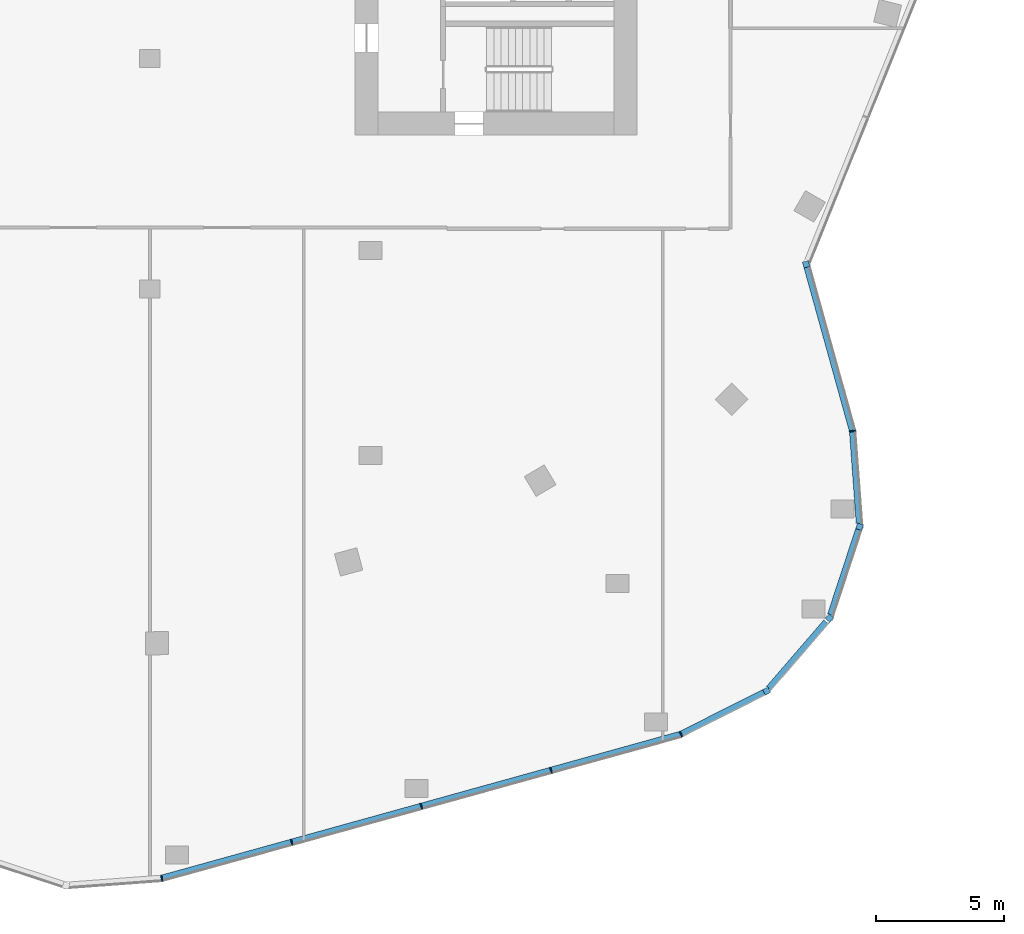
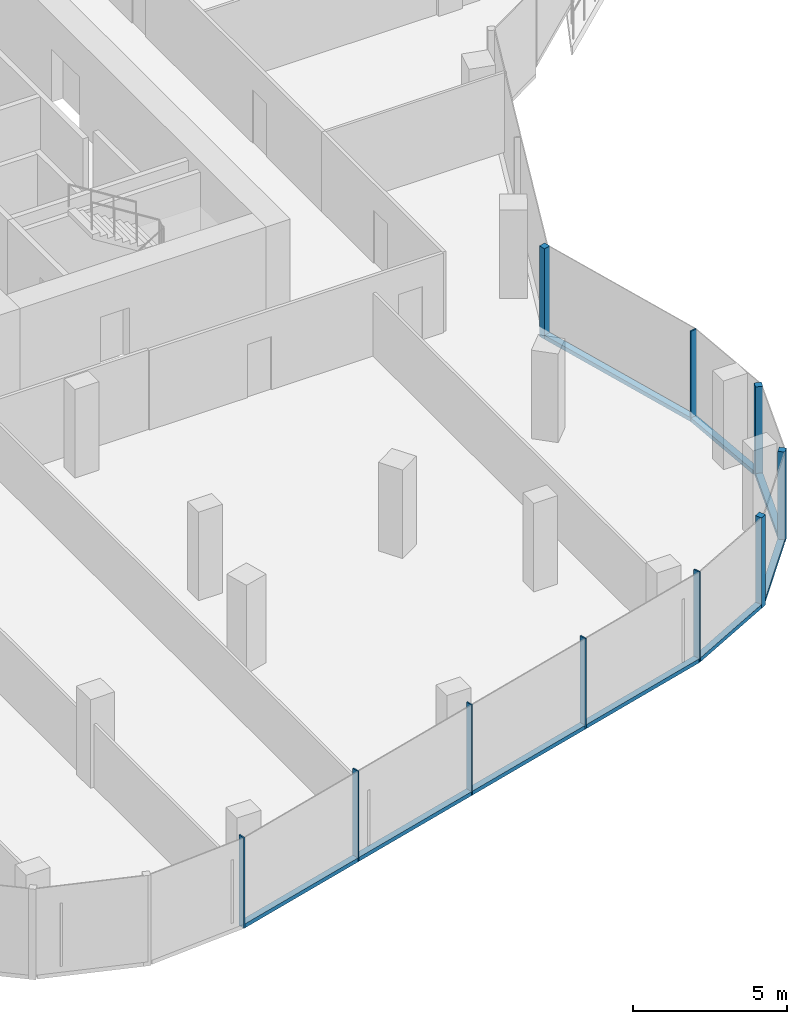
# One storey, part 4 of 17: 16 members, 7 elements without a shape of their own.
"""IFC4 building model written with IfcOpenShell, lengths in metres."""

from ifc_helpers import new_model, si_unit, direction, frame, origin, origin_2d, place, context, subcontext, project, spatial, rectangle, extrude, material, material_profile, profile_set, type_object, element, aggregate, save


model = new_model("IFC4")

# Units and contexts
model_context = context("Model", 3, precision=1e-05, world=origin(), true_north=direction((0.0, 1.0)))
body_context = subcontext(model_context, "Body", "Model", "MODEL_VIEW")
ifc_project = project(units=[si_unit("LENGTHUNIT", "METRE"), si_unit("AREAUNIT", "SQUARE_METRE"), si_unit("VOLUMEUNIT", "CUBIC_METRE"), si_unit("PLANEANGLEUNIT", "RADIAN"), si_unit("MASSUNIT", "GRAM", prefix="KILO")], contexts=[model_context])

# Site, building, storey
site_placement = place(None, origin())
site = spatial("IfcSite", under=ifc_project, at=site_placement, CompositionType="ELEMENT")
building_placement = place(site_placement, origin())
building = spatial("IfcBuilding", under=site, at=building_placement, Name="Orlundy Tower", CompositionType="ELEMENT")
storey_placement = place(building_placement, frame((0.0, 0.0, 289.39990234375)))
storey = spatial("IfcBuildingStorey", under=building, at=storey_placement, Name="L77", CompositionType="ELEMENT", Elevation=289.39990234375)

# Curtain wall, member
ifc_material_1 = material(Name="Aluminium bronze anodised", Category="aluminium")
curtain_wall_type = type_object("IfcCurtainWallType", Name="CW6 wall", PredefinedType="NOTDEFINED", material=ifc_material_1)
curtain_wall_1_placement = place(storey_placement, origin())
curtain_wall_1 = element("IfcCurtainWall", 1, at=curtain_wall_1_placement, inside=storey, type_object=curtain_wall_type, Name="CW6 run 018", PredefinedType="NOTDEFINED")
ifc_material_2 = material(Name="Aluminium bronze anodised", Category="aluminium")
ifc_material_profile_1 = material_profile(ifc_material_2, rectangle(XDim=0.239990234375, YDim=0.239990234375, at=origin_2d()), Name="CW6 corner post 240x240")
ifc_profile_set_1 = profile_set([ifc_material_profile_1], Name="Aluminium bronze anodised")
member_type_1 = type_object("IfcMemberType", Name="CW6 corner post 240x240", PredefinedType="MULLION", material=ifc_profile_set_1)
member_1_placement = place(storey_placement, frame((25.603515625, -17.0341796875, -0.39990234375), z_axis=(0.0, 0.0, 1.0), x_axis=(0.963625538767, 0.26725609635, 0.0)))
member_1 = element("IfcMember", 2, at=member_1_placement, type_object=member_type_1, Name="CW6 mullion 38", PredefinedType="MULLION", context=body_context, shape_type="SweptSolid", body=[
    extrude(rectangle(XDim=0.239990234375, YDim=0.239990234375, at=origin_2d()), origin(), (0.0, 0.0, 1.0), 3.580078125),
])

curtain_wall_2_placement = place(storey_placement, origin())
curtain_wall_2 = element("IfcCurtainWall", 3, at=curtain_wall_2_placement, inside=storey, type_object=curtain_wall_type, Name="CW6 run 020", PredefinedType="NOTDEFINED")
member_2_placement = place(storey_placement, frame((27.685546875, -27.27587890625, -0.39990234375), z_axis=(0.0, 0.0, 1.0), x_axis=(0.949757042161, -0.312988116173, 0.0)))
member_2 = element("IfcMember", 4, at=member_2_placement, type_object=member_type_1, Name="CW6 mullion 40", PredefinedType="MULLION", context=body_context, shape_type="SweptSolid", body=[
    extrude(rectangle(XDim=0.239990234375, YDim=0.239990234375, at=origin_2d()), origin(), (0.0, 0.0, 1.0), 3.580078125),
])

curtain_wall_3_placement = place(storey_placement, origin())
curtain_wall_3 = element("IfcCurtainWall", 5, at=curtain_wall_3_placement, inside=storey, type_object=curtain_wall_type, Name="CW6 run 021", PredefinedType="NOTDEFINED")
member_3_placement = place(storey_placement, frame((26.510498046875, -30.84130859375, -0.39990234375), z_axis=(0.0, 0.0, 1.0), x_axis=(0.757501961463, -0.652832887024, 0.0)))
member_3 = element("IfcMember", 6, at=member_3_placement, type_object=member_type_1, Name="CW6 mullion 41", PredefinedType="MULLION", context=body_context, shape_type="SweptSolid", body=[
    extrude(rectangle(XDim=0.239990234375, YDim=0.239990234375, at=origin_2d()), origin(), (0.0, 0.0, 1.0), 3.580078125),
])

curtain_wall_4_placement = place(storey_placement, origin())
curtain_wall_4 = element("IfcCurtainWall", 7, at=curtain_wall_4_placement, inside=storey, type_object=curtain_wall_type, Name="CW6 run 022", PredefinedType="NOTDEFINED")
member_4_placement = place(storey_placement, frame((24.059326171875, -33.685302734375, -0.39990234375), z_axis=(0.0, 0.0, 1.0), x_axis=(0.450017257968, -0.893019858419, 0.0)))
member_4 = element("IfcMember", 8, at=member_4_placement, type_object=member_type_1, Name="CW6 mullion 42", PredefinedType="MULLION", context=body_context, shape_type="SweptSolid", body=[
    extrude(rectangle(XDim=0.239990234375, YDim=0.239990234375, at=origin_2d()), origin(), (0.0, 0.0, 1.0), 3.580078125),
])

curtain_wall_5_placement = place(storey_placement, origin())
curtain_wall_5 = element("IfcCurtainWall", 9, at=curtain_wall_5_placement, inside=storey, type_object=curtain_wall_type, Name="CW6 run 019", PredefinedType="NOTDEFINED")
ifc_material_3 = material(Name="Aluminium bronze anodised", Category="aluminium")
ifc_material_profile_2 = material_profile(ifc_material_3, rectangle(XDim=0.239990234375, YDim=0.050048828125, at=origin_2d()), Name="CW6 mullion 50x240")
ifc_profile_set_2 = profile_set([ifc_material_profile_2], Name="Aluminium bronze anodised")
member_type_2 = type_object("IfcMemberType", Name="CW6 mullion 50x240", PredefinedType="MULLION", material=ifc_profile_set_2)
member_5_placement = place(storey_placement, frame((27.40869140625, -23.543212890625, -0.39990234375), z_axis=(0.0, 0.0, 1.0), x_axis=(0.985199614066, 0.171410969437, 0.0)))
member_5 = element("IfcMember", 10, at=member_5_placement, type_object=member_type_2, Name="CW6 mullion 39", PredefinedType="MULLION", context=body_context, shape_type="SweptSolid", body=[
    extrude(rectangle(XDim=0.239990234375, YDim=0.050048828125, at=origin_2d()), origin(), (0.0, 0.0, 1.0), 3.580078125),
])

# Curtain wall, members
curtain_wall_6_placement = place(storey_placement, origin())
curtain_wall_6 = element("IfcCurtainWall", 11, at=curtain_wall_6_placement, inside=storey, type_object=curtain_wall_type, Name="CW6 run 023", PredefinedType="NOTDEFINED")
member_6_placement = place(storey_placement, frame((20.717529296875, -35.369384765625, -0.39990234375), z_axis=(0.0, 0.0, 1.0), x_axis=(0.360362746117, -0.932812248639, 0.0)))
member_6 = element("IfcMember", 12, at=member_6_placement, type_object=member_type_2, Name="CW6 mullion 43", PredefinedType="MULLION", context=body_context, shape_type="SweptSolid", body=[
    extrude(rectangle(XDim=0.239990234375, YDim=0.050048828125, at=origin_2d()), origin(), (0.0, 0.0, 1.0), 3.580078125),
])
member_7_placement = place(storey_placement, frame((15.64697265625, -36.775634765625, -0.39990234375), z_axis=(0.0, 0.0, 1.0), x_axis=(0.267241052476, -0.963629710974, 0.0)))
member_7 = element("IfcMember", 13, at=member_7_placement, type_object=member_type_2, Name="CW6 mullion 44", PredefinedType="MULLION", context=body_context, shape_type="SweptSolid", body=[
    extrude(rectangle(XDim=0.239990234375, YDim=0.050048828125, at=origin_2d()), origin(), (0.0, 0.0, 1.0), 3.580078125),
])
member_8_placement = place(storey_placement, frame((10.588134765625, -38.1787109375, -0.39990234375), z_axis=(0.0, 0.0, 1.0), x_axis=(0.267241052476, -0.963629710974, 0.0)))
member_8 = element("IfcMember", 14, at=member_8_placement, type_object=member_type_2, Name="CW6 mullion 45", PredefinedType="MULLION", context=body_context, shape_type="SweptSolid", body=[
    extrude(rectangle(XDim=0.239990234375, YDim=0.050048828125, at=origin_2d()), origin(), (0.0, 0.0, 1.0), 3.580078125),
])
member_9_placement = place(storey_placement, frame((5.529052734375, -39.58154296875, -0.39990234375), z_axis=(0.0, 0.0, 1.0), x_axis=(0.267241052476, -0.963629710974, 0.0)))
member_9 = element("IfcMember", 15, at=member_9_placement, type_object=member_type_2, Name="CW6 mullion 46", PredefinedType="MULLION", context=body_context, shape_type="SweptSolid", body=[
    extrude(rectangle(XDim=0.239990234375, YDim=0.050048828125, at=origin_2d()), origin(), (0.0, 0.0, 1.0), 3.580078125),
])

# Curtain wall, member
curtain_wall_7_placement = place(storey_placement, origin())
curtain_wall_7 = element("IfcCurtainWall", 16, at=curtain_wall_7_placement, inside=storey, type_object=curtain_wall_type, Name="CW6 run 024", PredefinedType="NOTDEFINED")
member_10_placement = place(storey_placement, frame((0.458740234375, -40.98779296875, -0.39990234375), z_axis=(0.0, 0.0, 1.0), x_axis=(0.17153579032, -0.98517788883, 0.0)))
member_10 = element("IfcMember", 17, at=member_10_placement, type_object=member_type_2, Name="CW6 mullion 47", PredefinedType="MULLION", context=body_context, shape_type="SweptSolid", body=[
    extrude(rectangle(XDim=0.239990234375, YDim=0.050048828125, at=origin_2d()), origin(), (0.0, 0.0, 1.0), 3.580078125),
])
aggregate(curtain_wall_7, [member_10])

# Member
ifc_material_4 = material(Name="Aluminium bronze anodised", Category="aluminium")
ifc_material_profile_3 = material_profile(ifc_material_4, rectangle(XDim=0.239990234375, YDim=0.159912109375, at=origin_2d()), Name="CW6 transom 240x160")
ifc_profile_set_3 = profile_set([ifc_material_profile_3], Name="Aluminium bronze anodised")
member_type_3 = type_object("IfcMemberType", Name="CW6 transom 240x160", PredefinedType="USERDEFINED", material=ifc_profile_set_3)
member_11_placement = place(storey_placement, frame((25.635498046875, -17.14990234375, -0.31982421875), z_axis=(0.267278070295, -0.963619444148, 0.0), x_axis=(0.963619444148, 0.267278070295, 0.0)))
member_11 = element("IfcMember", 18, at=member_11_placement, type_object=member_type_3, Name="CW6 transom", ObjectType="TRANSOM", PredefinedType="USERDEFINED", context=body_context, shape_type="SweptSolid", body=[
    extrude(rectangle(XDim=0.239990234375, YDim=0.159912109375, at=origin_2d()), origin(), (0.0, 0.0, 1.0), 6.609619140625),
])

aggregate(curtain_wall_1, [member_1, member_11])

member_12_placement = place(storey_placement, frame((27.41064453125, -23.568359375, -0.31982421875), z_axis=(0.073896749776, -0.997265897528, 0.0), x_axis=(0.997265897528, 0.073896749776, 0.0)))
member_12 = element("IfcMember", 19, at=member_12_placement, type_object=member_type_3, Name="CW6 transom", ObjectType="TRANSOM", PredefinedType="USERDEFINED", context=body_context, shape_type="SweptSolid", body=[
    extrude(rectangle(XDim=0.239990234375, YDim=0.159912109375, at=origin_2d()), origin(), (0.0, 0.0, 1.0), 3.587890625),
])

aggregate(curtain_wall_5, [member_5, member_12])

member_13_placement = place(storey_placement, frame((27.64794921875, -27.389892578125, -0.31982421875), z_axis=(-0.312985973529, -0.949757748257, 0.0), x_axis=(0.949757748257, -0.312985973529, 0.0)))
member_13 = element("IfcMember", 20, at=member_13_placement, type_object=member_type_3, Name="CW6 transom", ObjectType="TRANSOM", PredefinedType="USERDEFINED", context=body_context, shape_type="SweptSolid", body=[
    extrude(rectangle(XDim=0.239990234375, YDim=0.159912109375, at=origin_2d()), origin(), (0.0, 0.0, 1.0), 3.50390625),
])

aggregate(curtain_wall_2, [member_2, member_13])

member_14_placement = place(storey_placement, frame((26.38671875, -30.985107421875, -0.31982421875), z_axis=(-0.65289603536, -0.757447534164, 0.0), x_axis=(0.757447534164, -0.65289603536, 0.0)))
member_14 = element("IfcMember", 21, at=member_14_placement, type_object=member_type_3, Name="CW6 transom", ObjectType="TRANSOM", PredefinedType="USERDEFINED", context=body_context, shape_type="SweptSolid", body=[
    extrude(rectangle(XDim=0.239990234375, YDim=0.159912109375, at=origin_2d()), origin(), (0.0, 0.0, 1.0), 3.43505859375),
])

aggregate(curtain_wall_3, [member_3, member_14])

member_15_placement = place(storey_placement, frame((23.9521484375, -33.739501953125, -0.31982421875), z_axis=(-0.893024605068, -0.450007838535, 0.0), x_axis=(0.450007838535, -0.893024605068, 0.0)))
member_15 = element("IfcMember", 22, at=member_15_placement, type_object=member_type_3, Name="CW6 transom", ObjectType="TRANSOM", PredefinedType="USERDEFINED", context=body_context, shape_type="SweptSolid", body=[
    extrude(rectangle(XDim=0.239990234375, YDim=0.159912109375, at=origin_2d()), origin(), (0.0, 0.0, 1.0), 3.596923828125),
])

aggregate(curtain_wall_4, [member_4, member_15])

member_16_placement = place(storey_placement, frame((20.693359375, -35.376220703125, -0.31982421875), z_axis=(-0.963628895624, -0.267243992483, 0.0), x_axis=(0.267243992483, -0.963628895624, 0.0)))
member_16 = element("IfcMember", 23, at=member_16_placement, type_object=member_type_3, Name="CW6 transom", ObjectType="TRANSOM", PredefinedType="USERDEFINED", context=body_context, shape_type="SweptSolid", body=[
    extrude(rectangle(XDim=0.239990234375, YDim=0.159912109375, at=origin_2d()), origin(), (0.0, 0.0, 1.0), 20.973388671875),
])

aggregate(curtain_wall_6, [member_6, member_7, member_8, member_9, member_16])

save(model, "model.ifc")
